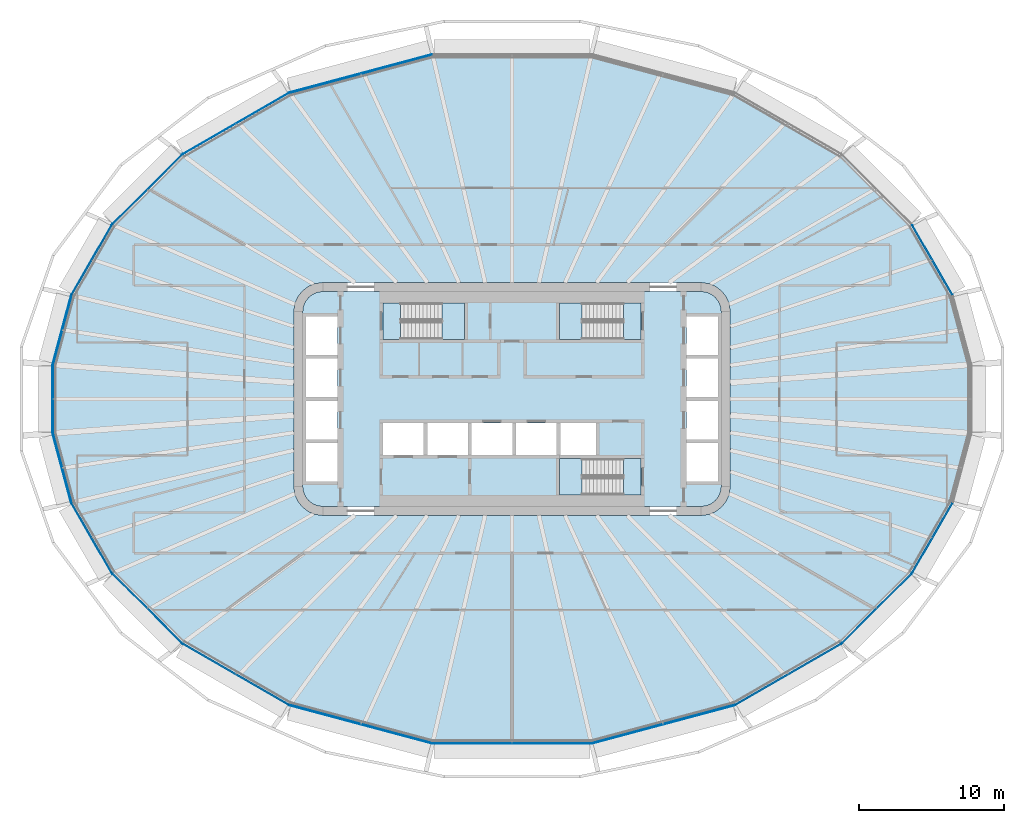
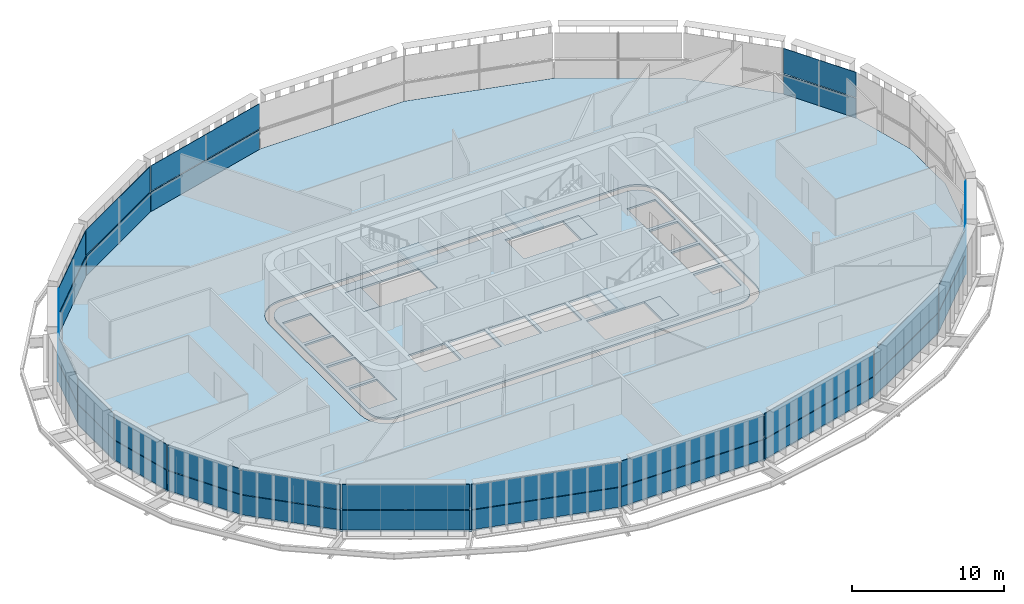
# One storey, part 13 of 25: 34 plates, 8 slabs, 20 elements without a shape of their own.
"""IFC4 building model written with IfcOpenShell, lengths in metres."""

from ifc_helpers import new_model, si_unit, direction, frame, origin, place, context, subcontext, project, spatial, polyline, outline, extrude, material, layer, layer_set, type_object, element, aggregate, save


model = new_model("IFC4")

# Units and contexts
model_context = context("Model", 3, precision=1e-05, world=origin(), true_north=direction((0.0, 1.0)))
body_context = subcontext(model_context, "Body", "Model", "MODEL_VIEW")
ifc_project = project(units=[si_unit("LENGTHUNIT", "METRE"), si_unit("AREAUNIT", "SQUARE_METRE"), si_unit("VOLUMEUNIT", "CUBIC_METRE"), si_unit("PLANEANGLEUNIT", "RADIAN"), si_unit("MASSUNIT", "GRAM", prefix="KILO")], contexts=[model_context])

# Site, building, storey
site_placement = place(None, origin())
site = spatial("IfcSite", under=ifc_project, at=site_placement, CompositionType="ELEMENT")
building_placement = place(site_placement, origin())
building = spatial("IfcBuilding", under=site, at=building_placement, Name="Sahrelin Media Tower", CompositionType="ELEMENT")
storey_placement = place(building_placement, frame((0.0, 0.0, 139.800048828125)))
storey = spatial("IfcBuildingStorey", under=building, at=storey_placement, Name="L28", CompositionType="ELEMENT", Elevation=139.800048828125)

# Slabs
ifc_material_1 = material(Name="Concrete C40/50", Category="concrete")
ifc_layer_1 = layer(ifc_material_1, 0.14990234375)
ifc_layer_set_1 = layer_set([ifc_layer_1], Name="Composite floor slab 150")
slab_type_1 = type_object("IfcSlabType", Name="Composite floor slab 150", PredefinedType="FLOOR", material=ifc_layer_set_1)
placement_1 = place(storey_placement, frame((0.0, 0.0, -0.150146484375)))
element("IfcSlab", 1, at=placement_1, inside=storey, type_object=slab_type_1, Name="Floor slab L28", PredefinedType="FLOOR", context=body_context, shape_type="SweptSolid", body=[
    extrude(outline(polyline([(31.55859375, -2.35595703125), (31.55859375, 2.35595703125), (30.283203125, 7.1162109375), (27.47900390625, 11.97314453125), (22.659912109375, 16.792236328125), (15.302001953125, 21.040283203125), (5.466552734375, 23.67578125), (-5.466552734375, 23.67578125), (-15.302001953125, 21.040283203125), (-22.659912109375, 16.792236328125), (-27.47900390625, 11.97314453125), (-30.283203125, 7.1162109375), (-31.55859375, 2.35595703125), (-31.55859375, -2.35595703125), (-30.283203125, -7.1162109375), (-27.47900390625, -11.97314453125), (-22.659912109375, -16.792236328125), (-15.302001953125, -21.040283203125), (-5.466552734375, -23.67578125), (5.466552734375, -23.67578125), (15.302001953125, -21.040283203125), (22.659912109375, -16.792236328125), (27.47900390625, -11.97314453125), (30.283203125, -7.1162109375), (31.55859375, -2.35595703125)]), holes=[polyline([(14.931884765625, 6.517578125), (15.0, 6.0), (15.0, -6.0), (14.931884765625, -6.517578125), (14.732177734375, -7.0), (14.414306640625, -7.414306640625), (14.0, -7.732177734375), (13.517578125, -7.931884765625), (13.0, -8.0), (-13.0, -8.0), (-13.517578125, -7.931884765625), (-14.0, -7.732177734375), (-14.414306640625, -7.414306640625), (-14.732177734375, -7.0), (-14.931884765625, -6.517578125), (-15.0, -6.0), (-15.0, 6.0), (-14.931884765625, 6.517578125), (-14.732177734375, 7.0), (-14.414306640625, 7.414306640625), (-14.0, 7.732177734375), (-13.517578125, 7.931884765625), (-13.0, 8.0), (13.0, 8.0), (13.517578125, 7.931884765625), (14.0, 7.732177734375), (14.414306640625, 7.414306640625), (14.732177734375, 7.0), (14.931884765625, 6.517578125)])]), origin(), (0.0, 0.0, 1.0), 0.150146484375),
])
ifc_layer_2 = layer(ifc_material_1, 0.14990234375)
ifc_layer_set_2 = layer_set([ifc_layer_2], Name="Core floor slab 150")
slab_type_2 = type_object("IfcSlabType", Name="Core floor slab 150", PredefinedType="FLOOR", material=ifc_layer_set_2)
element("IfcSlab", 2, at=placement_1, inside=storey, type_object=slab_type_2, Name="Core floor", PredefinedType="FLOOR", context=body_context, shape_type="SweptSolid", body=[
    extrude(outline(polyline([(-14.347412109375, 6.361083984375), (-14.39990234375, 5.960693359375), (-14.39990234375, -5.960693359375), (-14.347412109375, -6.361083984375), (-14.2080078125, -6.697509765625), (-13.986328125, -6.986328125), (-13.697509765625, -7.2080078125), (-13.361083984375, -7.347412109375), (-12.960693359375, -7.39990234375), (12.960693359375, -7.39990234375), (13.361083984375, -7.347412109375), (13.697509765625, -7.2080078125), (13.986328125, -6.986328125), (14.2080078125, -6.697509765625), (14.347412109375, -6.361083984375), (14.39990234375, -5.960693359375), (14.39990234375, 5.960693359375), (14.347412109375, 6.361083984375), (14.2080078125, 6.697509765625), (13.986328125, 6.986328125), (13.697509765625, 7.2080078125), (13.361083984375, 7.347412109375), (12.960693359375, 7.39990234375), (-12.960693359375, 7.39990234375), (-13.361083984375, 7.347412109375), (-13.697509765625, 7.2080078125), (-13.986328125, 6.986328125), (-14.2080078125, 6.697509765625), (-14.347412109375, 6.361083984375)]), holes=[polyline([(-12.0, 3.02490234375), (-12.0, 5.675048828125), (-14.14990234375, 5.675048828125), (-14.14990234375, 3.02490234375), (-12.0, 3.02490234375)]), polyline([(-14.14990234375, 0.125), (-12.0, 0.125), (-12.0, 2.77490234375), (-14.14990234375, 2.77490234375), (-14.14990234375, 0.125)]), polyline([(-14.14990234375, -0.125), (-14.14990234375, -2.77490234375), (-12.0, -2.77490234375), (-12.0, -0.125), (-14.14990234375, -0.125)]), polyline([(-12.0, -3.02490234375), (-14.14990234375, -3.02490234375), (-14.14990234375, -5.675048828125), (-12.0, -5.675048828125), (-12.0, -3.02490234375)]), polyline([(14.14990234375, 3.02490234375), (14.14990234375, 5.675048828125), (12.0, 5.675048828125), (12.0, 3.02490234375), (14.14990234375, 3.02490234375)]), polyline([(12.0, 0.125), (14.14990234375, 0.125), (14.14990234375, 2.77490234375), (12.0, 2.77490234375), (12.0, 0.125)]), polyline([(12.0, -0.125), (12.0, -2.77490234375), (14.14990234375, -2.77490234375), (14.14990234375, -0.125), (12.0, -0.125)]), polyline([(14.14990234375, -3.02490234375), (12.0, -3.02490234375), (12.0, -5.675048828125), (14.14990234375, -5.675048828125), (14.14990234375, -3.02490234375)]), polyline([(-6.074951171875, -3.85009765625), (-6.074951171875, -1.64990234375), (-8.875, -1.64990234375), (-8.875, -3.85009765625), (-6.074951171875, -3.85009765625)]), polyline([(-5.824951171875, -3.85009765625), (-3.02490234375, -3.85009765625), (-3.02490234375, -1.64990234375), (-5.824951171875, -1.64990234375), (-5.824951171875, -3.85009765625)]), polyline([(-2.77490234375, -1.64990234375), (-2.77490234375, -3.85009765625), (0.02490234375, -3.85009765625), (0.02490234375, -1.64990234375), (-2.77490234375, -1.64990234375)]), polyline([(3.074951171875, -1.64990234375), (0.27490234375, -1.64990234375), (0.27490234375, -3.85009765625), (3.074951171875, -3.85009765625), (3.074951171875, -1.64990234375)]), polyline([(5.77490234375, -3.85009765625), (5.77490234375, -1.64990234375), (3.324951171875, -1.64990234375), (3.324951171875, -3.85009765625), (5.77490234375, -3.85009765625)]), polyline([(-8.875, 6.60009765625), (-8.875, 4.10009765625), (-3.27490234375, 4.10009765625), (-3.27490234375, 6.60009765625), (-8.875, 6.60009765625)]), polyline([(3.27490234375, 4.10009765625), (8.875, 4.10009765625), (8.875, 6.60009765625), (3.27490234375, 6.60009765625), (3.27490234375, 4.10009765625)]), polyline([(3.27490234375, -4.10009765625), (3.27490234375, -6.60009765625), (8.875, -6.60009765625), (8.875, -4.10009765625), (3.27490234375, -4.10009765625)])]), origin(), (0.0, 0.0, 1.0), 0.150146484375),
])

# Curtain wall, plate
ifc_material_2 = material(Name="Champagne anodised aluminium 6063-T6", Category="aluminium")
ifc_layer_3 = layer(ifc_material_2, 0.14990234375)
ifc_layer_set_3 = layer_set([ifc_layer_3], Name="Tower ribbon curtain wall")
curtain_wall_type = type_object("IfcCurtainWallType", Name="Tower ribbon curtain wall", PredefinedType="NOTDEFINED", material=ifc_layer_set_3)
curtain_wall_1_placement = place(storey_placement, frame((28.8984375, 9.5546875, 0.0), z_axis=(0.0, 0.0, 1.0), x_axis=(1.0, 0.0, 0.0)))
curtain_wall_1 = element("IfcCurtainWall", 3, at=curtain_wall_1_placement, inside=storey, type_object=curtain_wall_type, Name="L28:CW:L28-02", PredefinedType="NOTDEFINED")
ifc_material_3 = material(Name="Clear low-iron glazing", Category="glass")
ifc_layer_4 = layer(ifc_material_3, 0.0400390625)
ifc_layer_set_4 = layer_set([ifc_layer_4], Name="Glazing panel 40 mm CW1")
plate_type_1 = type_object("IfcPlateType", Name="Glazing panel 40 mm CW1", PredefinedType="CURTAIN_PANEL", material=ifc_layer_set_4)
plate_1_placement = place(storey_placement, frame((30.294189453125, 7.177001953125, 1.6298828125), z_axis=(0.866032956191, 0.499986918621, 0.0), x_axis=(-0.499986918621, 0.866032956191, 0.0)))
plate_1 = element("IfcPlate", 4, at=plate_1_placement, type_object=plate_type_1, Name="L28:CWP2:L28-02", PredefinedType="CURTAIN_PANEL", context=body_context, shape_type="SweptSolid", body=[
    extrude(outline(polyline([(0.0, 0.0), (5.513916015625, 0.0), (5.513916015625, 2.0185546875), (0.0, 2.0185546875), (0.0, 0.0)])), origin(), (0.0, 0.0, -1.0), 0.0400390625),
])

curtain_wall_2_placement = place(storey_placement, frame((-10.389404296875, 22.377197265625, 0.0), z_axis=(0.0, 0.0, 1.0), x_axis=(1.0, 0.0, 0.0)))
curtain_wall_2 = element("IfcCurtainWall", 5, at=curtain_wall_2_placement, inside=storey, type_object=curtain_wall_type, Name="L28:CW:L28-07", PredefinedType="NOTDEFINED")
plate_2_placement = place(storey_placement, frame((-5.522705078125, 23.7021484375, 1.6298828125), z_axis=(-0.258816330459, 0.965926553671, 0.0), x_axis=(-0.965926553671, -0.258816330459, 0.0)))
plate_2 = element("IfcPlate", 6, at=plate_2_placement, type_object=plate_type_1, Name="L28:CWP2:L28-07", PredefinedType="CURTAIN_PANEL", context=body_context, shape_type="SweptSolid", body=[
    extrude(outline(polyline([(0.0, 0.0), (10.087646484375, 0.0), (10.087646484375, 2.0185546875), (0.0, 2.0185546875), (0.0, 0.0)])), origin(), (0.0, 0.0, -1.0), 0.0400390625),
])

curtain_wall_3_placement = place(storey_placement, frame((-18.990966796875, 18.93359375, 0.0), z_axis=(0.0, 0.0, 1.0), x_axis=(1.0, 0.0, 0.0)))
curtain_wall_3 = element("IfcCurtainWall", 7, at=curtain_wall_3_placement, inside=storey, type_object=curtain_wall_type, Name="L28:CW:L28-08", PredefinedType="NOTDEFINED")
plate_3_placement = place(storey_placement, frame((-15.363037109375, 21.05126953125, 1.6298828125), z_axis=(-0.499995799698, 0.866027828816, 0.0), x_axis=(-0.866027828816, -0.499995799698, 0.0)))
plate_3 = element("IfcPlate", 8, at=plate_3_placement, type_object=plate_type_1, Name="L28:CWP2:L28-08", PredefinedType="CURTAIN_PANEL", context=body_context, shape_type="SweptSolid", body=[
    extrude(outline(polyline([(0.0, 0.0), (8.4013671875, 0.0), (8.4013671875, 2.0185546875), (0.0, 2.0185546875), (0.0, 0.0)])), origin(), (0.0, 0.0, -1.0), 0.0400390625),
])

curtain_wall_4_placement = place(storey_placement, frame((-25.08349609375, 14.39697265625, 0.0), z_axis=(0.0, 0.0, 1.0), x_axis=(1.0, 0.0, 0.0)))
curtain_wall_4 = element("IfcCurtainWall", 9, at=curtain_wall_4_placement, inside=storey, type_object=curtain_wall_type, Name="L28:CW:L28-09", PredefinedType="NOTDEFINED")
plate_4_placement = place(storey_placement, frame((-22.7216796875, 16.787109375, 1.6298828125), z_axis=(-0.707106781187, 0.707106781187, 0.0), x_axis=(-0.707106781187, -0.707106781187, 0.0)))
plate_4 = element("IfcPlate", 10, at=plate_4_placement, type_object=plate_type_1, Name="L28:CWP2:L28-09", PredefinedType="CURTAIN_PANEL", context=body_context, shape_type="SweptSolid", body=[
    extrude(outline(polyline([(0.0, 0.0), (6.720703125, 0.0), (6.720703125, 2.0185546875), (0.0, 2.0185546875), (0.0, 0.0)])), origin(), (0.0, 0.0, -1.0), 0.0400390625),
])

curtain_wall_5_placement = place(storey_placement, frame((-28.8984375, 9.5546875, 0.0), z_axis=(0.0, 0.0, 1.0), x_axis=(1.0, 0.0, 0.0)))
curtain_wall_5 = element("IfcCurtainWall", 11, at=curtain_wall_5_placement, inside=storey, type_object=curtain_wall_type, Name="L28:CW:L28-10", PredefinedType="NOTDEFINED")
plate_5_placement = place(storey_placement, frame((-27.537353515625, 11.9521484375, 1.6298828125), z_axis=(-0.866032956191, 0.499986918621, 0.0), x_axis=(-0.499986918621, -0.866032956191, 0.0)))
plate_5 = element("IfcPlate", 12, at=plate_5_placement, type_object=plate_type_1, Name="L28:CWP2:L28-10", PredefinedType="CURTAIN_PANEL", context=body_context, shape_type="SweptSolid", body=[
    extrude(outline(polyline([(0.0, 0.0), (5.513916015625, 0.0), (5.513916015625, 2.0185546875), (0.0, 2.0185546875), (0.0, 0.0)])), origin(), (0.0, 0.0, -1.0), 0.0400390625),
])

curtain_wall_6_placement = place(storey_placement, frame((-30.940185546875, 4.7412109375, 0.0), z_axis=(0.0, 0.0, 1.0), x_axis=(1.0, 0.0, 0.0)))
curtain_wall_6 = element("IfcCurtainWall", 13, at=curtain_wall_6_placement, inside=storey, type_object=curtain_wall_type, Name="L28:CW:L28-11", PredefinedType="NOTDEFINED")
plate_6_placement = place(storey_placement, frame((-30.333984375, 7.080810546875, 1.6298828125), z_axis=(-0.965913101603, 0.258866529609, 0.0), x_axis=(-0.258866529609, -0.965913101603, 0.0)))
plate_6 = element("IfcPlate", 14, at=plate_6_placement, type_object=plate_type_1, Name="L28:CWP2:L28-11", PredefinedType="CURTAIN_PANEL", context=body_context, shape_type="SweptSolid", body=[
    extrude(outline(polyline([(0.0, 0.0), (4.83349609375, 0.0), (4.83349609375, 2.0185546875), (0.0, 2.0185546875), (0.0, 0.0)])), origin(), (0.0, 0.0, -1.0), 0.0400390625),
])

curtain_wall_7_placement = place(storey_placement, frame((-31.57861328125, 0.0, 0.0), z_axis=(0.0, 0.0, 1.0), x_axis=(1.0, 0.0, 0.0)))
curtain_wall_7 = element("IfcCurtainWall", 15, at=curtain_wall_7_placement, inside=storey, type_object=curtain_wall_type, Name="L28:CW:L28-12", PredefinedType="NOTDEFINED")
plate_7_placement = place(storey_placement, frame((-31.5986328125, 2.30859375, 1.6298828125), z_axis=(-1.0, 0.0, 0.0), x_axis=(0.0, -1.0, 0.0)))
plate_7 = element("IfcPlate", 16, at=plate_7_placement, type_object=plate_type_1, Name="L28:CWP2:L28-12", PredefinedType="CURTAIN_PANEL", context=body_context, shape_type="SweptSolid", body=[
    extrude(outline(polyline([(0.0, 0.0), (4.6171875, 0.0), (4.6171875, 2.0185546875), (0.0, 2.0185546875), (0.0, 0.0)])), origin(), (0.0, 0.0, -1.0), 0.0400390625),
])

curtain_wall_8_placement = place(storey_placement, frame((-30.940185546875, -4.7412109375, 0.0), z_axis=(0.0, 0.0, 1.0), x_axis=(1.0, 0.0, 0.0)))
curtain_wall_8 = element("IfcCurtainWall", 17, at=curtain_wall_8_placement, inside=storey, type_object=curtain_wall_type, Name="L28:CW:L28-13", PredefinedType="NOTDEFINED")
plate_8_placement = place(storey_placement, frame((-31.585205078125, -2.412109375, 1.6298828125), z_axis=(-0.965913101603, -0.258866529609, 0.0), x_axis=(0.258866529609, -0.965913101603, 0.0)))
plate_8 = element("IfcPlate", 18, at=plate_8_placement, type_object=plate_type_1, Name="L28:CWP2:L28-13", PredefinedType="CURTAIN_PANEL", context=body_context, shape_type="SweptSolid", body=[
    extrude(outline(polyline([(0.0, 0.0), (4.83349609375, 0.0), (4.83349609375, 2.0185546875), (0.0, 2.0185546875), (0.0, 0.0)])), origin(), (0.0, 0.0, -1.0), 0.0400390625),
])

curtain_wall_9_placement = place(storey_placement, frame((-28.8984375, -9.5546875, 0.0), z_axis=(0.0, 0.0, 1.0), x_axis=(1.0, 0.0, 0.0)))
curtain_wall_9 = element("IfcCurtainWall", 19, at=curtain_wall_9_placement, inside=storey, type_object=curtain_wall_type, Name="L28:CW:L28-14", PredefinedType="NOTDEFINED")
plate_9_placement = place(storey_placement, frame((-30.294189453125, -7.177001953125, 1.6298828125), z_axis=(-0.866032956191, -0.499986918621, 0.0), x_axis=(0.499986918621, -0.866032956191, 0.0)))
plate_9 = element("IfcPlate", 20, at=plate_9_placement, type_object=plate_type_1, Name="L28:CWP2:L28-14", PredefinedType="CURTAIN_PANEL", context=body_context, shape_type="SweptSolid", body=[
    extrude(outline(polyline([(0.0, 0.0), (5.513916015625, 0.0), (5.513916015625, 2.0185546875), (0.0, 2.0185546875), (0.0, 0.0)])), origin(), (0.0, 0.0, -1.0), 0.0400390625),
])

curtain_wall_10_placement = place(storey_placement, frame((-25.08349609375, -14.396728515625, 0.0), z_axis=(0.0, 0.0, 1.0), x_axis=(1.0, 0.0, 0.0)))
curtain_wall_10 = element("IfcCurtainWall", 21, at=curtain_wall_10_placement, inside=storey, type_object=curtain_wall_type, Name="L28:CW:L28-15", PredefinedType="NOTDEFINED")
plate_10_placement = place(storey_placement, frame((-27.473876953125, -12.034912109375, 1.6298828125), z_axis=(-0.707106781187, -0.707106781187, 0.0), x_axis=(0.707106781187, -0.707106781187, 0.0)))
plate_10 = element("IfcPlate", 22, at=plate_10_placement, type_object=plate_type_1, Name="L28:CWP2:L28-15", PredefinedType="CURTAIN_PANEL", context=body_context, shape_type="SweptSolid", body=[
    extrude(outline(polyline([(0.0, 0.0), (6.720703125, 0.0), (6.720703125, 2.0185546875), (0.0, 2.0185546875), (0.0, 0.0)])), origin(), (0.0, 0.0, -1.0), 0.0400390625),
])

curtain_wall_11_placement = place(storey_placement, frame((-18.990966796875, -18.93359375, 0.0), z_axis=(0.0, 0.0, 1.0), x_axis=(1.0, 0.0, 0.0)))
curtain_wall_11 = element("IfcCurtainWall", 23, at=curtain_wall_11_placement, inside=storey, type_object=curtain_wall_type, Name="L28:CW:L28-16", PredefinedType="NOTDEFINED")
plate_11_placement = place(storey_placement, frame((-22.638916015625, -16.8505859375, 1.6298828125), z_axis=(-0.499995799698, -0.866027828816, 0.0), x_axis=(0.866027828816, -0.499995799698, 0.0)))
plate_11 = element("IfcPlate", 24, at=plate_11_placement, type_object=plate_type_1, Name="L28:CWP2:L28-16", PredefinedType="CURTAIN_PANEL", context=body_context, shape_type="SweptSolid", body=[
    extrude(outline(polyline([(0.0, 0.0), (8.4013671875, 0.0), (8.4013671875, 2.0185546875), (0.0, 2.0185546875), (0.0, 0.0)])), origin(), (0.0, 0.0, -1.0), 0.0400390625),
])

curtain_wall_12_placement = place(storey_placement, frame((-10.389404296875, -22.377197265625, 0.0), z_axis=(0.0, 0.0, 1.0), x_axis=(1.0, 0.0, 0.0)))
curtain_wall_12 = element("IfcCurtainWall", 25, at=curtain_wall_12_placement, inside=storey, type_object=curtain_wall_type, Name="L28:CW:L28-17", PredefinedType="NOTDEFINED")
plate_12_placement = place(storey_placement, frame((-15.2666015625, -21.09130859375, 1.6298828125), z_axis=(-0.258816330459, -0.965926553671, 0.0), x_axis=(0.965926553671, -0.258816330459, 0.0)))
plate_12 = element("IfcPlate", 26, at=plate_12_placement, type_object=plate_type_1, Name="L28:CWP2:L28-17", PredefinedType="CURTAIN_PANEL", context=body_context, shape_type="SweptSolid", body=[
    extrude(outline(polyline([(0.0, 0.0), (10.087646484375, 0.0), (10.087646484375, 2.0185546875), (0.0, 2.0185546875), (0.0, 0.0)])), origin(), (0.0, 0.0, -1.0), 0.0400390625),
])

curtain_wall_13_placement = place(storey_placement, frame((0.0, -23.69580078125, 0.0), z_axis=(0.0, 0.0, 1.0), x_axis=(1.0, 0.0, 0.0)))
curtain_wall_13 = element("IfcCurtainWall", 27, at=curtain_wall_13_placement, inside=storey, type_object=curtain_wall_type, Name="L28:CW:L28-18", PredefinedType="NOTDEFINED")
plate_13_placement = place(storey_placement, frame((-5.419189453125, -23.7158203125, 1.6298828125), z_axis=(0.0, -1.0, 0.0), x_axis=(1.0, 0.0, 0.0)))
plate_13 = element("IfcPlate", 28, at=plate_13_placement, type_object=plate_type_1, Name="L28:CWP2:L28-18", PredefinedType="CURTAIN_PANEL", context=body_context, shape_type="SweptSolid", body=[
    extrude(outline(polyline([(0.0, 0.0), (10.83837890625, 0.0), (10.83837890625, 2.0185546875), (0.0, 2.0185546875), (0.0, 0.0)])), origin(), (0.0, 0.0, -1.0), 0.0400390625),
])

curtain_wall_14_placement = place(storey_placement, frame((10.389404296875, -22.377197265625, 0.0), z_axis=(0.0, 0.0, 1.0), x_axis=(1.0, 0.0, 0.0)))
curtain_wall_14 = element("IfcCurtainWall", 29, at=curtain_wall_14_placement, inside=storey, type_object=curtain_wall_type, Name="L28:CW:L28-19", PredefinedType="NOTDEFINED")
plate_14_placement = place(storey_placement, frame((5.522705078125, -23.7021484375, 1.6298828125), z_axis=(0.258816330459, -0.965926553671, 0.0), x_axis=(0.965926553671, 0.258816330459, 0.0)))
plate_14 = element("IfcPlate", 30, at=plate_14_placement, type_object=plate_type_1, Name="L28:CWP2:L28-19", PredefinedType="CURTAIN_PANEL", context=body_context, shape_type="SweptSolid", body=[
    extrude(outline(polyline([(0.0, 0.0), (10.087646484375, 0.0), (10.087646484375, 2.0185546875), (0.0, 2.0185546875), (0.0, 0.0)])), origin(), (0.0, 0.0, -1.0), 0.0400390625),
])

curtain_wall_15_placement = place(storey_placement, frame((18.990966796875, -18.93359375, 0.0), z_axis=(0.0, 0.0, 1.0), x_axis=(1.0, 0.0, 0.0)))
curtain_wall_15 = element("IfcCurtainWall", 31, at=curtain_wall_15_placement, inside=storey, type_object=curtain_wall_type, Name="L28:CW:L28-20", PredefinedType="NOTDEFINED")
plate_15_placement = place(storey_placement, frame((15.363037109375, -21.05126953125, 1.6298828125), z_axis=(0.499995799698, -0.866027828816, 0.0), x_axis=(0.866027828816, 0.499995799698, 0.0)))
plate_15 = element("IfcPlate", 32, at=plate_15_placement, type_object=plate_type_1, Name="L28:CWP2:L28-20", PredefinedType="CURTAIN_PANEL", context=body_context, shape_type="SweptSolid", body=[
    extrude(outline(polyline([(0.0, 0.0), (8.4013671875, 0.0), (8.4013671875, 2.0185546875), (0.0, 2.0185546875), (0.0, 0.0)])), origin(), (0.0, 0.0, -1.0), 0.0400390625),
])

curtain_wall_16_placement = place(storey_placement, frame((25.08349609375, -14.39697265625, 0.0), z_axis=(0.0, 0.0, 1.0), x_axis=(1.0, 0.0, 0.0)))
curtain_wall_16 = element("IfcCurtainWall", 33, at=curtain_wall_16_placement, inside=storey, type_object=curtain_wall_type, Name="L28:CW:L28-21", PredefinedType="NOTDEFINED")
plate_16_placement = place(storey_placement, frame((22.7216796875, -16.787109375, 1.6298828125), z_axis=(0.707106781187, -0.707106781187, 0.0), x_axis=(0.707106781187, 0.707106781187, 0.0)))
plate_16 = element("IfcPlate", 34, at=plate_16_placement, type_object=plate_type_1, Name="L28:CWP2:L28-21", PredefinedType="CURTAIN_PANEL", context=body_context, shape_type="SweptSolid", body=[
    extrude(outline(polyline([(0.0, 0.0), (6.720703125, 0.0), (6.720703125, 2.0185546875), (0.0, 2.0185546875), (0.0, 0.0)])), origin(), (0.0, 0.0, -1.0), 0.0400390625),
])

curtain_wall_17_placement = place(storey_placement, frame((28.8984375, -9.5546875, 0.0), z_axis=(0.0, 0.0, 1.0), x_axis=(1.0, 0.0, 0.0)))
curtain_wall_17 = element("IfcCurtainWall", 35, at=curtain_wall_17_placement, inside=storey, type_object=curtain_wall_type, Name="L28:CW:L28-22", PredefinedType="NOTDEFINED")
plate_17_placement = place(storey_placement, frame((27.537353515625, -11.9521484375, 1.6298828125), z_axis=(0.866032956191, -0.499986918621, 0.0), x_axis=(0.499986918621, 0.866032956191, 0.0)))
plate_17 = element("IfcPlate", 36, at=plate_17_placement, type_object=plate_type_1, Name="L28:CWP2:L28-22", PredefinedType="CURTAIN_PANEL", context=body_context, shape_type="SweptSolid", body=[
    extrude(outline(polyline([(0.0, 0.0), (5.513916015625, 0.0), (5.513916015625, 2.0185546875), (0.0, 2.0185546875), (0.0, 0.0)])), origin(), (0.0, 0.0, -1.0), 0.0400390625),
])

# Plate
ifc_material_4 = material(Name="Insulated spandrel panel")
ifc_layer_5 = layer(ifc_material_4, 0.06005859375)
ifc_layer_set_5 = layer_set([ifc_layer_5], Name="Spandrel panel 60 mm CW1")
plate_type_2 = type_object("IfcPlateType", Name="Spandrel panel 60 mm CW1", PredefinedType="SHEET", material=ifc_layer_set_5)
plate_18_placement = place(storey_placement, frame((30.294189453125, 7.177001953125, 0.0), z_axis=(0.866032956191, 0.499986918621, 0.0), x_axis=(-0.499986918621, 0.866032956191, 0.0)))
plate_18 = element("IfcPlate", 37, at=plate_18_placement, type_object=plate_type_2, Name="L28:CWP1:L28-02", PredefinedType="SHEET", context=body_context, shape_type="SweptSolid", body=[
    extrude(outline(polyline([(0.0, 0.0), (5.513916015625, 0.0), (5.513916015625, 1.570068359375), (0.0, 1.570068359375), (0.0, 0.0)])), origin(), (0.0, 0.0, -1.0), 0.06005859375),
])

aggregate(curtain_wall_1, [plate_18, plate_1])

plate_19_placement = place(storey_placement, frame((-5.522705078125, 23.7021484375, 0.0), z_axis=(-0.258816330459, 0.965926553671, 0.0), x_axis=(-0.965926553671, -0.258816330459, 0.0)))
plate_19 = element("IfcPlate", 38, at=plate_19_placement, type_object=plate_type_2, Name="L28:CWP1:L28-07", PredefinedType="SHEET", context=body_context, shape_type="SweptSolid", body=[
    extrude(outline(polyline([(0.0, 0.0), (10.087646484375, 0.0), (10.087646484375, 1.570068359375), (0.0, 1.570068359375), (0.0, 0.0)])), origin(), (0.0, 0.0, -1.0), 0.06005859375),
])

aggregate(curtain_wall_2, [plate_19, plate_2])

plate_20_placement = place(storey_placement, frame((-15.363037109375, 21.05126953125, 0.0), z_axis=(-0.499995799698, 0.866027828816, 0.0), x_axis=(-0.866027828816, -0.499995799698, 0.0)))
plate_20 = element("IfcPlate", 39, at=plate_20_placement, type_object=plate_type_2, Name="L28:CWP1:L28-08", PredefinedType="SHEET", context=body_context, shape_type="SweptSolid", body=[
    extrude(outline(polyline([(0.0, 0.0), (8.4013671875, 0.0), (8.4013671875, 1.570068359375), (0.0, 1.570068359375), (0.0, 0.0)])), origin(), (0.0, 0.0, -1.0), 0.06005859375),
])

aggregate(curtain_wall_3, [plate_20, plate_3])

plate_21_placement = place(storey_placement, frame((-22.7216796875, 16.787109375, 0.0), z_axis=(-0.707106781187, 0.707106781187, 0.0), x_axis=(-0.707106781187, -0.707106781187, 0.0)))
plate_21 = element("IfcPlate", 40, at=plate_21_placement, type_object=plate_type_2, Name="L28:CWP1:L28-09", PredefinedType="SHEET", context=body_context, shape_type="SweptSolid", body=[
    extrude(outline(polyline([(0.0, 0.0), (6.720703125, 0.0), (6.720703125, 1.570068359375), (0.0, 1.570068359375), (0.0, 0.0)])), origin(), (0.0, 0.0, -1.0), 0.06005859375),
])

aggregate(curtain_wall_4, [plate_21, plate_4])

plate_22_placement = place(storey_placement, frame((-27.537353515625, 11.9521484375, 0.0), z_axis=(-0.866032956191, 0.499986918621, 0.0), x_axis=(-0.499986918621, -0.866032956191, 0.0)))
plate_22 = element("IfcPlate", 41, at=plate_22_placement, type_object=plate_type_2, Name="L28:CWP1:L28-10", PredefinedType="SHEET", context=body_context, shape_type="SweptSolid", body=[
    extrude(outline(polyline([(0.0, 0.0), (5.513916015625, 0.0), (5.513916015625, 1.570068359375), (0.0, 1.570068359375), (0.0, 0.0)])), origin(), (0.0, 0.0, -1.0), 0.06005859375),
])

aggregate(curtain_wall_5, [plate_22, plate_5])

plate_23_placement = place(storey_placement, frame((-30.333984375, 7.080810546875, 0.0), z_axis=(-0.965913101603, 0.258866529609, 0.0), x_axis=(-0.258866529609, -0.965913101603, 0.0)))
plate_23 = element("IfcPlate", 42, at=plate_23_placement, type_object=plate_type_2, Name="L28:CWP1:L28-11", PredefinedType="SHEET", context=body_context, shape_type="SweptSolid", body=[
    extrude(outline(polyline([(0.0, 0.0), (4.83349609375, 0.0), (4.83349609375, 1.570068359375), (0.0, 1.570068359375), (0.0, 0.0)])), origin(), (0.0, 0.0, -1.0), 0.06005859375),
])

aggregate(curtain_wall_6, [plate_23, plate_6])

plate_24_placement = place(storey_placement, frame((-31.5986328125, 2.30859375, 0.0), z_axis=(-1.0, 0.0, 0.0), x_axis=(0.0, -1.0, 0.0)))
plate_24 = element("IfcPlate", 43, at=plate_24_placement, type_object=plate_type_2, Name="L28:CWP1:L28-12", PredefinedType="SHEET", context=body_context, shape_type="SweptSolid", body=[
    extrude(outline(polyline([(0.0, 0.0), (4.6171875, 0.0), (4.6171875, 1.570068359375), (0.0, 1.570068359375), (0.0, 0.0)])), origin(), (0.0, 0.0, -1.0), 0.06005859375),
])

aggregate(curtain_wall_7, [plate_24, plate_7])

plate_25_placement = place(storey_placement, frame((-31.585205078125, -2.412109375, 0.0), z_axis=(-0.965913101603, -0.258866529609, 0.0), x_axis=(0.258866529609, -0.965913101603, 0.0)))
plate_25 = element("IfcPlate", 44, at=plate_25_placement, type_object=plate_type_2, Name="L28:CWP1:L28-13", PredefinedType="SHEET", context=body_context, shape_type="SweptSolid", body=[
    extrude(outline(polyline([(0.0, 0.0), (4.83349609375, 0.0), (4.83349609375, 1.570068359375), (0.0, 1.570068359375), (0.0, 0.0)])), origin(), (0.0, 0.0, -1.0), 0.06005859375),
])

aggregate(curtain_wall_8, [plate_25, plate_8])

plate_26_placement = place(storey_placement, frame((-30.294189453125, -7.177001953125, 0.0), z_axis=(-0.866032956191, -0.499986918621, 0.0), x_axis=(0.499986918621, -0.866032956191, 0.0)))
plate_26 = element("IfcPlate", 45, at=plate_26_placement, type_object=plate_type_2, Name="L28:CWP1:L28-14", PredefinedType="SHEET", context=body_context, shape_type="SweptSolid", body=[
    extrude(outline(polyline([(0.0, 0.0), (5.513916015625, 0.0), (5.513916015625, 1.570068359375), (0.0, 1.570068359375), (0.0, 0.0)])), origin(), (0.0, 0.0, -1.0), 0.06005859375),
])

aggregate(curtain_wall_9, [plate_26, plate_9])

plate_27_placement = place(storey_placement, frame((-27.473876953125, -12.034912109375, 0.0), z_axis=(-0.707106781187, -0.707106781187, 0.0), x_axis=(0.707106781187, -0.707106781187, 0.0)))
plate_27 = element("IfcPlate", 46, at=plate_27_placement, type_object=plate_type_2, Name="L28:CWP1:L28-15", PredefinedType="SHEET", context=body_context, shape_type="SweptSolid", body=[
    extrude(outline(polyline([(0.0, 0.0), (6.720703125, 0.0), (6.720703125, 1.570068359375), (0.0, 1.570068359375), (0.0, 0.0)])), origin(), (0.0, 0.0, -1.0), 0.06005859375),
])

aggregate(curtain_wall_10, [plate_27, plate_10])

plate_28_placement = place(storey_placement, frame((-22.638916015625, -16.8505859375, 0.0), z_axis=(-0.499995799698, -0.866027828816, 0.0), x_axis=(0.866027828816, -0.499995799698, 0.0)))
plate_28 = element("IfcPlate", 47, at=plate_28_placement, type_object=plate_type_2, Name="L28:CWP1:L28-16", PredefinedType="SHEET", context=body_context, shape_type="SweptSolid", body=[
    extrude(outline(polyline([(0.0, 0.0), (8.4013671875, 0.0), (8.4013671875, 1.570068359375), (0.0, 1.570068359375), (0.0, 0.0)])), origin(), (0.0, 0.0, -1.0), 0.06005859375),
])

aggregate(curtain_wall_11, [plate_28, plate_11])

plate_29_placement = place(storey_placement, frame((-15.2666015625, -21.09130859375, 0.0), z_axis=(-0.258816330459, -0.965926553671, 0.0), x_axis=(0.965926553671, -0.258816330459, 0.0)))
plate_29 = element("IfcPlate", 48, at=plate_29_placement, type_object=plate_type_2, Name="L28:CWP1:L28-17", PredefinedType="SHEET", context=body_context, shape_type="SweptSolid", body=[
    extrude(outline(polyline([(0.0, 0.0), (10.087646484375, 0.0), (10.087646484375, 1.570068359375), (0.0, 1.570068359375), (0.0, 0.0)])), origin(), (0.0, 0.0, -1.0), 0.06005859375),
])

aggregate(curtain_wall_12, [plate_29, plate_12])

plate_30_placement = place(storey_placement, frame((-5.419189453125, -23.7158203125, 0.0), z_axis=(0.0, -1.0, 0.0), x_axis=(1.0, 0.0, 0.0)))
plate_30 = element("IfcPlate", 49, at=plate_30_placement, type_object=plate_type_2, Name="L28:CWP1:L28-18", PredefinedType="SHEET", context=body_context, shape_type="SweptSolid", body=[
    extrude(outline(polyline([(0.0, 0.0), (10.83837890625, 0.0), (10.83837890625, 1.570068359375), (0.0, 1.570068359375), (0.0, 0.0)])), origin(), (0.0, 0.0, -1.0), 0.06005859375),
])

aggregate(curtain_wall_13, [plate_30, plate_13])

plate_31_placement = place(storey_placement, frame((5.522705078125, -23.7021484375, 0.0), z_axis=(0.258816330459, -0.965926553671, 0.0), x_axis=(0.965926553671, 0.258816330459, 0.0)))
plate_31 = element("IfcPlate", 50, at=plate_31_placement, type_object=plate_type_2, Name="L28:CWP1:L28-19", PredefinedType="SHEET", context=body_context, shape_type="SweptSolid", body=[
    extrude(outline(polyline([(0.0, 0.0), (10.087646484375, 0.0), (10.087646484375, 1.570068359375), (0.0, 1.570068359375), (0.0, 0.0)])), origin(), (0.0, 0.0, -1.0), 0.06005859375),
])

aggregate(curtain_wall_14, [plate_31, plate_14])

plate_32_placement = place(storey_placement, frame((15.363037109375, -21.05126953125, 0.0), z_axis=(0.499995799698, -0.866027828816, 0.0), x_axis=(0.866027828816, 0.499995799698, 0.0)))
plate_32 = element("IfcPlate", 51, at=plate_32_placement, type_object=plate_type_2, Name="L28:CWP1:L28-20", PredefinedType="SHEET", context=body_context, shape_type="SweptSolid", body=[
    extrude(outline(polyline([(0.0, 0.0), (8.4013671875, 0.0), (8.4013671875, 1.570068359375), (0.0, 1.570068359375), (0.0, 0.0)])), origin(), (0.0, 0.0, -1.0), 0.06005859375),
])

aggregate(curtain_wall_15, [plate_32, plate_15])

plate_33_placement = place(storey_placement, frame((22.7216796875, -16.787109375, 0.0), z_axis=(0.707106781187, -0.707106781187, 0.0), x_axis=(0.707106781187, 0.707106781187, 0.0)))
plate_33 = element("IfcPlate", 52, at=plate_33_placement, type_object=plate_type_2, Name="L28:CWP1:L28-21", PredefinedType="SHEET", context=body_context, shape_type="SweptSolid", body=[
    extrude(outline(polyline([(0.0, 0.0), (6.720703125, 0.0), (6.720703125, 1.570068359375), (0.0, 1.570068359375), (0.0, 0.0)])), origin(), (0.0, 0.0, -1.0), 0.06005859375),
])

aggregate(curtain_wall_16, [plate_33, plate_16])

plate_34_placement = place(storey_placement, frame((27.537353515625, -11.9521484375, 0.0), z_axis=(0.866032956191, -0.499986918621, 0.0), x_axis=(0.499986918621, 0.866032956191, 0.0)))
plate_34 = element("IfcPlate", 53, at=plate_34_placement, type_object=plate_type_2, Name="L28:CWP1:L28-22", PredefinedType="SHEET", context=body_context, shape_type="SweptSolid", body=[
    extrude(outline(polyline([(0.0, 0.0), (5.513916015625, 0.0), (5.513916015625, 1.570068359375), (0.0, 1.570068359375), (0.0, 0.0)])), origin(), (0.0, 0.0, -1.0), 0.06005859375),
])

aggregate(curtain_wall_17, [plate_34, plate_17])

# Stair, slabs
stair_type = type_object("IfcStairType", Name="Exit stair 1200", PredefinedType="HALF_TURN_STAIR", material=ifc_material_1)
placement_2 = place(storey_placement, origin())
stair_1 = element("IfcStair", 54, at=placement_2, inside=storey, type_object=stair_type, Name="L28 Exit stair ST1", PredefinedType="HALF_TURN_STAIR")
ifc_layer_6 = layer(ifc_material_1, 0.199951171875)
ifc_layer_set_6 = layer_set([ifc_layer_6], Name="Stair landing 200")
slab_type_3 = type_object("IfcSlabType", Name="Stair landing 200", PredefinedType="LANDING", material=ifc_layer_set_6)
placement_3 = place(storey_placement, frame((0.0, 0.0, 1.89990234375)))
slab_3 = element("IfcSlab", 55, at=placement_3, type_object=slab_type_3, Name="ST1 landing 1", PredefinedType="LANDING", context=body_context, shape_type="SweptSolid", body=[
    extrude(outline(polyline([(-4.81494140625, 4.10009765625), (-3.27490234375, 4.10009765625), (-3.27490234375, 6.60009765625), (-4.81494140625, 6.60009765625), (-4.81494140625, 4.10009765625)])), origin(), (0.0, 0.0, 1.0), 0.199951171875),
])
placement_4 = place(storey_placement, frame((0.0, 0.0, -0.199951171875)))
slab_4 = element("IfcSlab", 56, at=placement_4, type_object=slab_type_3, Name="ST1 landing 2", PredefinedType="LANDING", context=body_context, shape_type="SweptSolid", body=[
    extrude(outline(polyline([(-8.875, 4.10009765625), (-7.675048828125, 4.10009765625), (-7.675048828125, 6.60009765625), (-8.875, 6.60009765625), (-8.875, 4.10009765625)])), origin(), (0.0, 0.0, 1.0), 0.199951171875),
])
aggregate(stair_1, [slab_3, slab_4])

stair_2 = element("IfcStair", 57, at=placement_2, inside=storey, type_object=stair_type, Name="L28 Exit stair ST3", PredefinedType="HALF_TURN_STAIR")
slab_5 = element("IfcSlab", 58, at=placement_3, type_object=slab_type_3, Name="ST3 landing 1", PredefinedType="LANDING", context=body_context, shape_type="SweptSolid", body=[
    extrude(outline(polyline([(4.81494140625, 6.60009765625), (3.27490234375, 6.60009765625), (3.27490234375, 4.10009765625), (4.81494140625, 4.10009765625), (4.81494140625, 6.60009765625)])), origin(), (0.0, 0.0, 1.0), 0.199951171875),
])
slab_6 = element("IfcSlab", 59, at=placement_4, type_object=slab_type_3, Name="ST3 landing 2", PredefinedType="LANDING", context=body_context, shape_type="SweptSolid", body=[
    extrude(outline(polyline([(8.875, 6.60009765625), (7.675048828125, 6.60009765625), (7.675048828125, 4.10009765625), (8.875, 4.10009765625), (8.875, 6.60009765625)])), origin(), (0.0, 0.0, 1.0), 0.199951171875),
])
aggregate(stair_2, [slab_5, slab_6])

stair_3 = element("IfcStair", 60, at=placement_2, inside=storey, type_object=stair_type, Name="L28 Exit stair ST2", PredefinedType="HALF_TURN_STAIR")
slab_7 = element("IfcSlab", 61, at=placement_3, type_object=slab_type_3, Name="ST2 landing 1", PredefinedType="LANDING", context=body_context, shape_type="SweptSolid", body=[
    extrude(outline(polyline([(4.81494140625, -4.10009765625), (3.27490234375, -4.10009765625), (3.27490234375, -6.60009765625), (4.81494140625, -6.60009765625), (4.81494140625, -4.10009765625)])), origin(), (0.0, 0.0, 1.0), 0.199951171875),
])
slab_8 = element("IfcSlab", 62, at=placement_4, type_object=slab_type_3, Name="ST2 landing 2", PredefinedType="LANDING", context=body_context, shape_type="SweptSolid", body=[
    extrude(outline(polyline([(8.875, -4.10009765625), (7.675048828125, -4.10009765625), (7.675048828125, -6.60009765625), (8.875, -6.60009765625), (8.875, -4.10009765625)])), origin(), (0.0, 0.0, 1.0), 0.199951171875),
])
aggregate(stair_3, [slab_7, slab_8])

save(model, "model.ifc")
